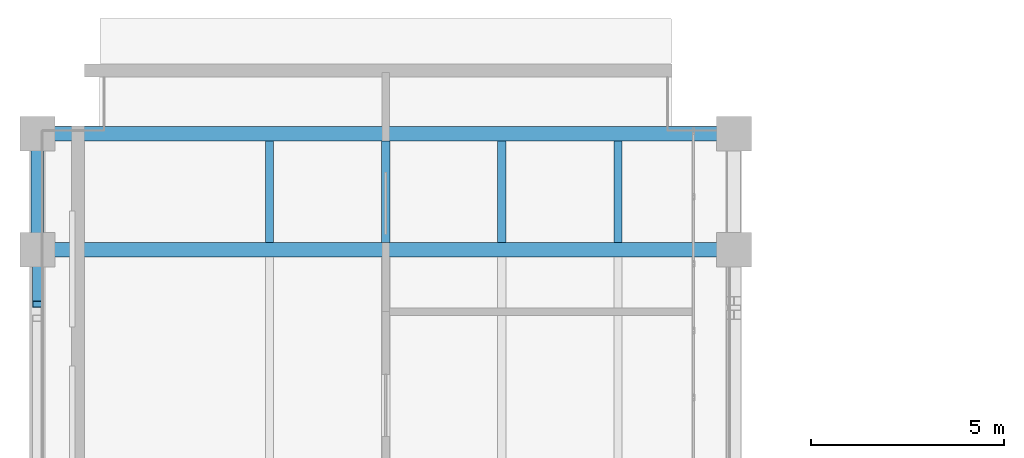
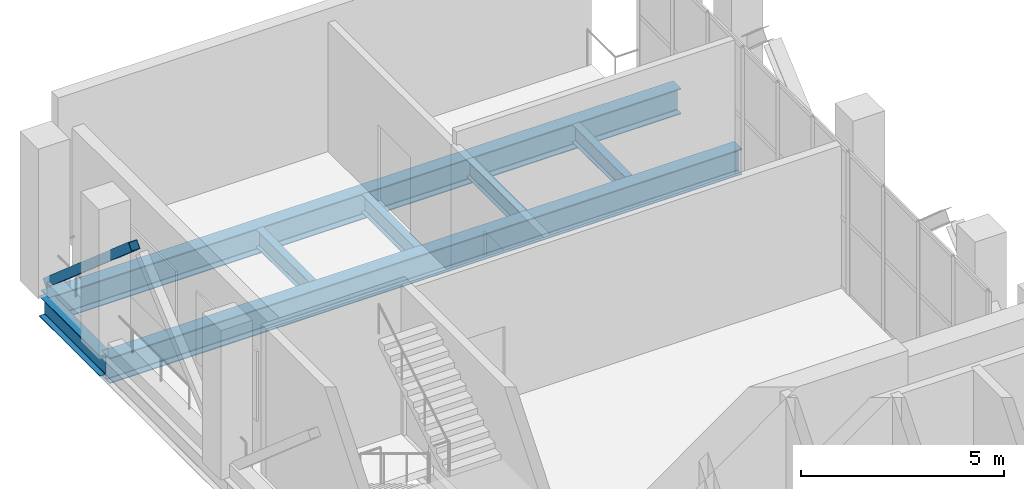
# One storey, part 19 of 26: 7 beams, 1 member.
"""IFC4 building model written with IfcOpenShell, lengths in metres."""

from ifc_helpers import new_model, si_unit, direction, frame, origin, origin_2d, place, context, subcontext, project, spatial, hollow_rectangle, i_section, extrude, material, material_profile, profile_set, type_object, element, save


model = new_model("IFC4")

# Units and contexts
model_context = context("Model", 3, precision=1e-05, world=origin(), true_north=direction((0.0, 1.0)))
body_context = subcontext(model_context, "Body", "Model", "MODEL_VIEW")
ifc_project = project(units=[si_unit("LENGTHUNIT", "METRE"), si_unit("AREAUNIT", "SQUARE_METRE"), si_unit("VOLUMEUNIT", "CUBIC_METRE"), si_unit("PLANEANGLEUNIT", "RADIAN"), si_unit("MASSUNIT", "GRAM", prefix="KILO")], contexts=[model_context])

# Site, building, storey
site_placement = place(None, origin())
site = spatial("IfcSite", under=ifc_project, at=site_placement, CompositionType="ELEMENT")
building_placement = place(site_placement, origin())
building = spatial("IfcBuilding", under=site, at=building_placement, Name="Mawjdan Bourse Tower", CompositionType="ELEMENT")
storey_placement = place(building_placement, frame((0.0, 0.0, 226.800048828125)))
storey = spatial("IfcBuildingStorey", under=building, at=storey_placement, Name="L55", CompositionType="ELEMENT", Elevation=226.800048828125)

# Member
ifc_material = material(Name="Structural Steel S355", Category="steel")
ifc_material_profile_1 = material_profile(ifc_material, hollow_rectangle(XDim=0.25, YDim=0.25, WallThickness=0.012451171875, at=origin_2d()), Name="HSS250X250X12.5")
ifc_profile_set_1 = profile_set([ifc_material_profile_1], Name="Structural Steel S355")
member_type = type_object("IfcMemberType", Name="BRC-HSS250X250X12.5", PredefinedType="BRACE", material=ifc_profile_set_1)
member_placement = place(storey_placement, frame((6.0, 34.595947265625, 3.849853515625), z_axis=(0.0, 0.756383065472, -0.65412893092), x_axis=(-1.0, 0.0, 0.0)))
element("IfcMember", 1, at=member_placement, inside=storey, type_object=member_type, Name="L55 North Outrigger Truss 1 Diagonal 4", PredefinedType="BRACE", context=body_context, shape_type="SweptSolid", body=[
    extrude(hollow_rectangle(XDim=0.25, YDim=0.25, WallThickness=0.012451171875, at=origin_2d()), origin(), (0.0, 0.0, 1.0), 5.579833984375),
])

# Beams
ifc_material_profile_2 = material_profile(ifc_material, i_section(OverallWidth=0.381103515625, OverallDepth=0.77294921875, WebThickness=0.0166015625, FlangeThickness=0.027099609375, FilletRadius=0.021728515625, at=origin_2d()), Name="W30X173")
ifc_profile_set_2 = profile_set([ifc_material_profile_2], Name="Structural Steel S355")
beam_type_1 = type_object("IfcBeamType", Name="GRD-W30X173", PredefinedType="BEAM", material=ifc_profile_set_2)
for number, where, z_axis, x_axis, name in (
    (2, (6.0, 36.0, -0.66650390625), (1.0, 0.0, 0.0), (0.0, 1.0, 0.0), "L55 North Wing Clear-Span Girder 049"),
    (3, (6.0, 39.0, -0.66650390625), (1.0, 0.0, 0.0), (0.0, 1.0, 0.0), "L55 North Wing Clear-Span Girder 050"),
):
    element("IfcBeam", number, at=place(storey_placement, frame(where, z_axis=z_axis, x_axis=x_axis)), inside=storey, type_object=beam_type_1, Name=name, PredefinedType="BEAM", context=body_context, shape_type="SweptSolid", body=[
        extrude(i_section(OverallWidth=0.381103515625, OverallDepth=0.77294921875, WebThickness=0.0166015625, FlangeThickness=0.027099609375, FilletRadius=0.021728515625, at=origin_2d()), origin(), (0.0, 0.0, 1.0), 18.0),
    ])
ifc_material_profile_3 = material_profile(ifc_material, i_section(OverallWidth=0.2099609375, OverallDepth=0.537109375, WebThickness=0.010986328125, FlangeThickness=0.017333984375, FilletRadius=0.013916015625, at=origin_2d()), Name="W21X68")
ifc_profile_set_3 = profile_set([ifc_material_profile_3], Name="Structural Steel S355")
beam_type_2 = type_object("IfcBeamType", Name="JST-W21X68", PredefinedType="JOIST", material=ifc_profile_set_3)
for number, where, z_axis, x_axis, name in (
    (4, (12.0, 36.1884765625, -0.548583984375), (0.0, 1.0, 0.0), (-1.0, 0.0, 0.0), "L55 North Wing Composite Joist 062"),
    (5, (15.0, 36.1884765625, -0.548583984375), (0.0, 1.0, 0.0), (-1.0, 0.0, 0.0), "L55 North Wing Composite Joist 066"),
    (6, (18.0, 36.1884765625, -0.548583984375), (0.0, 1.0, 0.0), (-1.0, 0.0, 0.0), "L55 North Wing Composite Joist 070"),
    (7, (21.0, 36.1884765625, -0.548583984375), (0.0, 1.0, 0.0), (-1.0, 0.0, 0.0), "L55 North Wing Composite Joist 074"),
):
    element("IfcBeam", number, at=place(storey_placement, frame(where, z_axis=z_axis, x_axis=x_axis)), inside=storey, type_object=beam_type_2, Name=name, PredefinedType="JOIST", context=body_context, shape_type="SweptSolid", body=[
        extrude(i_section(OverallWidth=0.2099609375, OverallDepth=0.537109375, WebThickness=0.010986328125, FlangeThickness=0.017333984375, FilletRadius=0.013916015625, at=origin_2d()), origin(), (0.0, 0.0, 1.0), 2.623046875),
    ])
ifc_material_profile_4 = material_profile(ifc_material, i_section(OverallWidth=0.324951171875, OverallDepth=0.616943359375, WebThickness=0.013916015625, FlangeThickness=0.021484375, FilletRadius=0.017333984375, at=origin_2d()), Name="W24X117")
ifc_profile_set_4 = profile_set([ifc_material_profile_4], Name="Structural Steel S355")
beam_type_3 = type_object("IfcBeamType", Name="SPN-W24X117", PredefinedType="SPANDREL", material=ifc_profile_set_4)
beam_placement = place(storey_placement, frame((6.0, 36.0, -0.588623046875), z_axis=(0.0, 1.0, 0.0), x_axis=(-1.0, 0.0, 0.0)))
element("IfcBeam", 8, at=beam_placement, inside=storey, type_object=beam_type_3, Name="L55 North Wing Spandrel 054", PredefinedType="SPANDREL", context=body_context, shape_type="SweptSolid", body=[
    extrude(i_section(OverallWidth=0.324951171875, OverallDepth=0.616943359375, WebThickness=0.013916015625, FlangeThickness=0.021484375, FilletRadius=0.017333984375, at=origin_2d()), origin(), (0.0, 0.0, 1.0), 3.0),
])

save(model, "model.ifc")
